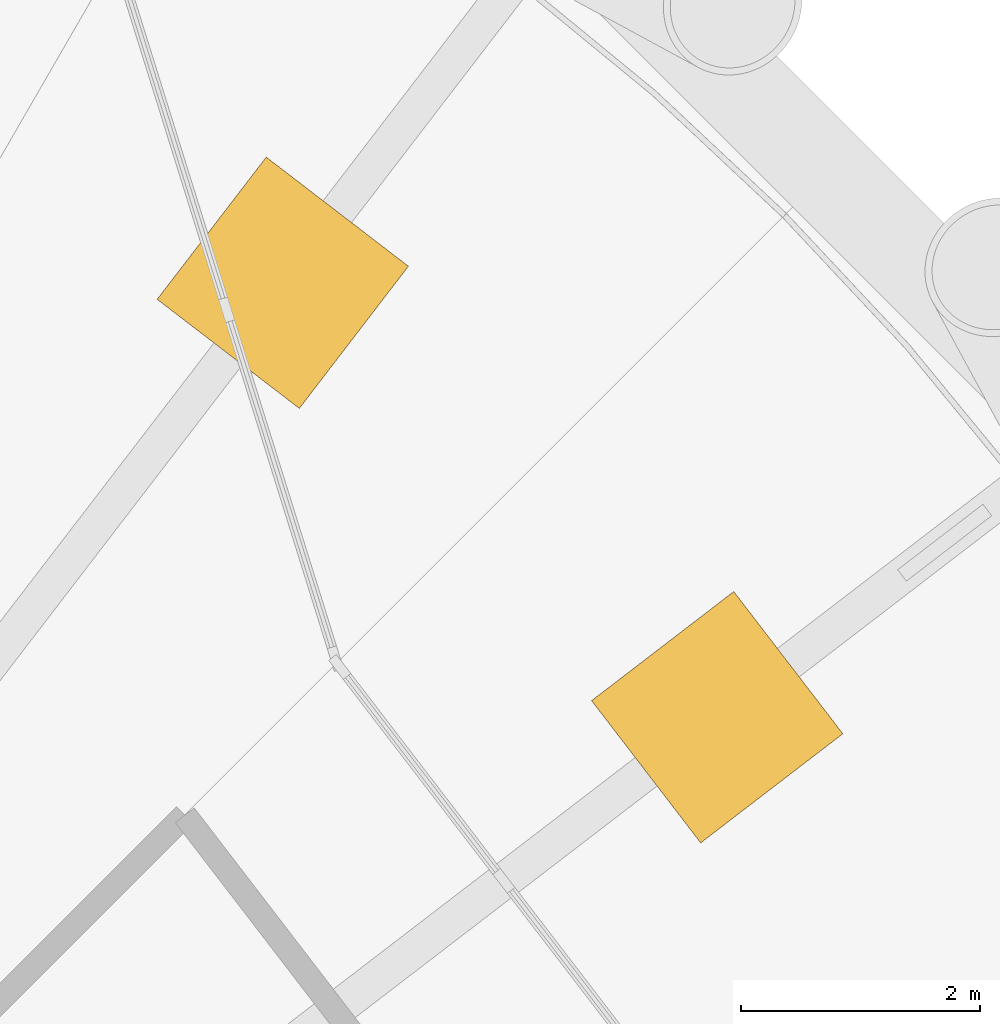
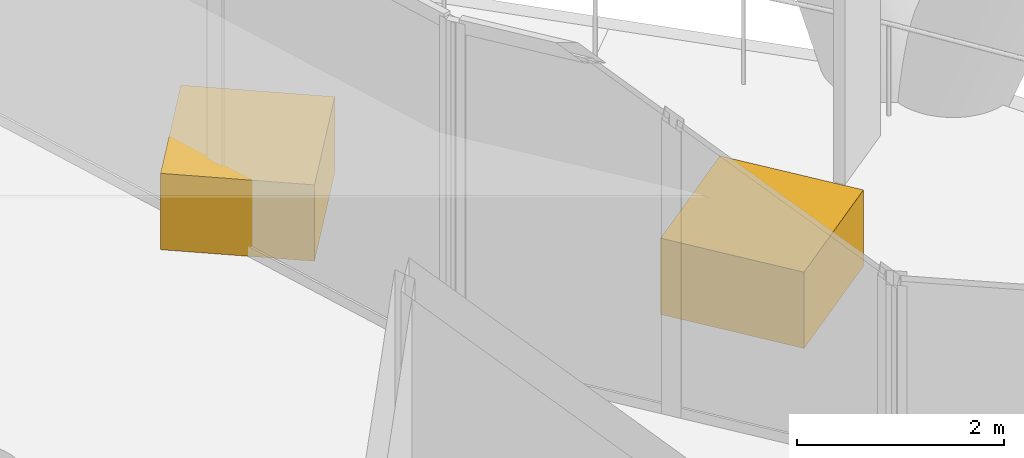
# One storey, part 15 of 15: 2 coverings.
"""IFC4 building model written with IfcOpenShell, lengths in metres."""

from ifc_helpers import new_model, si_unit, direction, frame, origin, origin_2d, place, context, subcontext, project, spatial, rectangle, extrude, material, layer, layer_set, type_object, element, save


model = new_model("IFC4")

# Units and contexts
model_context = context("Model", 3, precision=1e-05, world=origin(), true_north=direction((0.0, 1.0)))
body_context = subcontext(model_context, "Body", "Model", "MODEL_VIEW")
ifc_project = project(units=[si_unit("LENGTHUNIT", "METRE"), si_unit("AREAUNIT", "SQUARE_METRE"), si_unit("VOLUMEUNIT", "CUBIC_METRE"), si_unit("PLANEANGLEUNIT", "RADIAN"), si_unit("MASSUNIT", "GRAM", prefix="KILO")], contexts=[model_context])

# Site, building, storey
site_placement = place(None, origin())
site = spatial("IfcSite", under=ifc_project, at=site_placement, CompositionType="ELEMENT")
building_placement = place(site_placement, origin())
building = spatial("IfcBuilding", under=site, at=building_placement, Name="Qaws Media Tower", CompositionType="ELEMENT")
storey_placement = place(building_placement, frame((0.0, 0.0, 34.39990234375)))
storey = spatial("IfcBuildingStorey", under=building, at=storey_placement, Name="L06", CompositionType="ELEMENT", Elevation=34.39990234375)

# Coverings
ifc_material = material(Name="Precast concrete tree planter", Category="concrete")
ifc_layer = layer(ifc_material, 0.89990234375)
ifc_layer_set = layer_set([ifc_layer], Name="Tree planter 1500")
covering_type = type_object("IfcCoveringType", Name="Tree planter 1500", PredefinedType="USERDEFINED", material=ifc_layer_set)
for number, where, z_axis, x_axis, name in (
    (1, (75.629150390625, 61.99267578125, 0.000244140625), (0.0, 0.0, 1.0), (0.793353340291, 0.608761429009, 0.0), "PL2 sky garden tree planter L06-2"),
    (2, (71.99267578125, 65.629150390625, 0.000244140625), (0.0, 0.0, 1.0), (0.608761429009, 0.793353340291, 0.0), "PL2 sky garden tree planter L06-3"),
):
    element("IfcCovering", number, at=place(storey_placement, frame(where, z_axis=z_axis, x_axis=x_axis)), inside=storey, type_object=covering_type, Name=name, ObjectType="PLANTER", PredefinedType="USERDEFINED", context=body_context, shape_type="SweptSolid", body=[
        extrude(rectangle(XDim=1.5, YDim=1.5, at=origin_2d()), origin(), (0.0, 0.0, 1.0), 0.89990234375),
    ])

save(model, "model.ifc")
